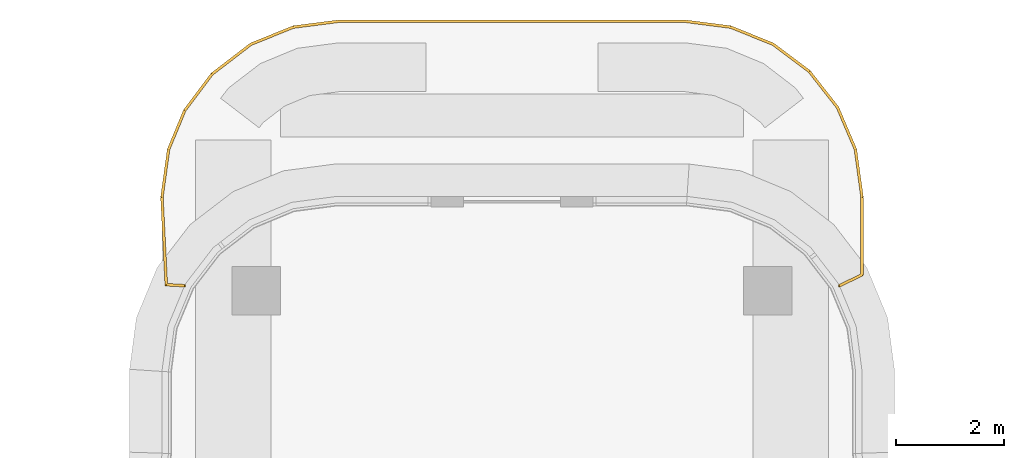
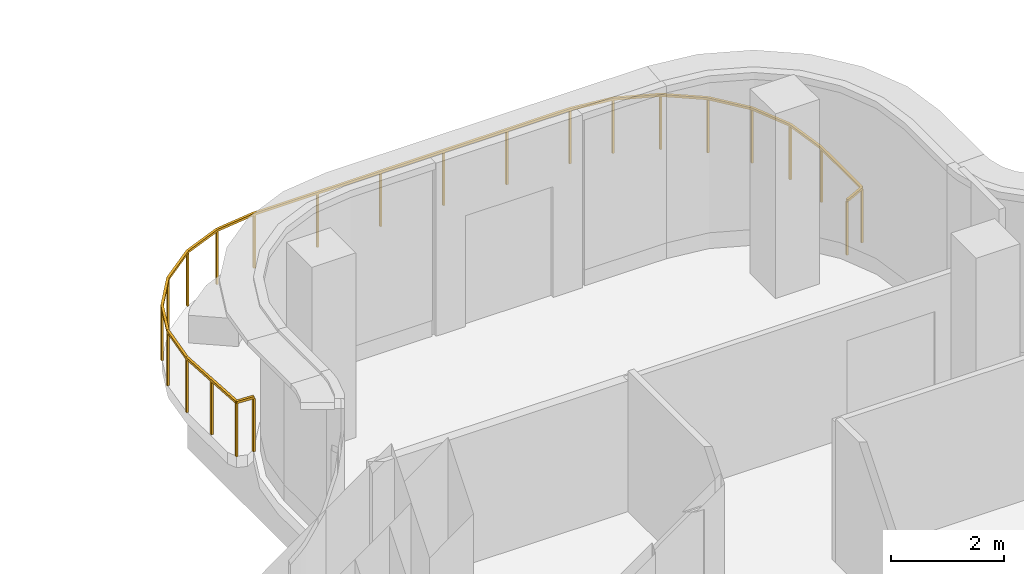
# One storey, part 11 of 11: 1 railing.
"""IFC4 building model written with IfcOpenShell, lengths in metres."""

from ifc_helpers import new_model, si_unit, direction, frame, origin, origin_2d, place, context, subcontext, project, spatial, rectangle, extrude, material, type_object, element, save


model = new_model("IFC4")

# Units and contexts
model_context = context("Model", 3, precision=1e-05, world=origin(), true_north=direction((0.0, 1.0)))
body_context = subcontext(model_context, "Body", "Model", "MODEL_VIEW")
ifc_project = project(units=[si_unit("LENGTHUNIT", "METRE"), si_unit("AREAUNIT", "SQUARE_METRE"), si_unit("VOLUMEUNIT", "CUBIC_METRE"), si_unit("PLANEANGLEUNIT", "RADIAN"), si_unit("MASSUNIT", "GRAM", prefix="KILO")], contexts=[model_context])

# Site, building, storey
site_placement = place(None, origin())
site = spatial("IfcSite", under=ifc_project, at=site_placement, CompositionType="ELEMENT")
building_placement = place(site_placement, origin())
building = spatial("IfcBuilding", under=site, at=building_placement, Name="Trellis Farm Tower", CompositionType="ELEMENT")
storey_placement = place(building_placement, frame((0.0, 0.0, 346.10009765625)))
storey = spatial("IfcBuildingStorey", under=building, at=storey_placement, Name="L78", CompositionType="ELEMENT", Elevation=346.10009765625)

# Railing
ifc_material = material(Name="Stainless steel 316", Category="steel")
railing_type = type_object("IfcRailingType", Name="BALUSTRADE GUARD 1200", PredefinedType="GUARDRAIL", material=ifc_material)
railing_placement = place(storey_placement, frame((-6.078369140625, 11.341552734375, 0.0)))
element("IfcRailing", 1, at=railing_placement, inside=storey, type_object=railing_type, Name="GD2 TER-1", PredefinedType="GUARDRAIL", context=body_context, shape_type="SweptSolid", body=[
    extrude(rectangle(XDim=0.050048828125, YDim=0.050048828125, at=origin_2d()), frame((0.0, 0.0, 1.1748046875), z_axis=(-0.998595991784, 0.052972117127, 0.0), x_axis=(-0.052972117127, -0.998595991784, 0.0)), (0.0, 0.0, 1.0), 0.341064453125),
    extrude(rectangle(XDim=0.050048828125, YDim=0.050048828125, at=origin_2d()), frame((-0.340576171875, 0.01806640625, 1.1748046875), z_axis=(-0.049847755092, 0.998756827918, 0.0), x_axis=(-0.998756827918, -0.049847755092, 0.0)), (0.0, 0.0, 1.0), 1.6259765625),
    extrude(rectangle(XDim=0.050048828125, YDim=0.050048828125, at=origin_2d()), frame((-0.421630859375, 1.64208984375, 1.1748046875), z_axis=(0.137531262137, 0.990497426516, 0.0), x_axis=(-0.990497426516, 0.137531262137, 0.0)), (0.0, 0.0, 1.0), 0.896484375),
    extrude(rectangle(XDim=0.050048828125, YDim=0.050048828125, at=origin_2d()), frame((-0.29833984375, 2.530029296875, 1.1748046875), z_axis=(0.38282021408, 0.923822863807, 0.0), x_axis=(-0.923822863807, 0.38282021408, 0.0)), (0.0, 0.0, 1.0), 0.782470703125),
    extrude(rectangle(XDim=0.050048828125, YDim=0.050048828125, at=origin_2d()), frame((0.001220703125, 3.2529296875, 1.1748046875), z_axis=(0.600691219023, 0.799481118844, 0.0), x_axis=(-0.799481118844, 0.600691219023, 0.0)), (0.0, 0.0, 1.0), 0.847412109375),
    extrude(rectangle(XDim=0.050048828125, YDim=0.050048828125, at=origin_2d()), frame((0.51025390625, 3.930419921875, 1.1748046875), z_axis=(0.793399515431, 0.608701247669, 0.0), x_axis=(-0.608701247669, 0.793399515431, 0.0)), (0.0, 0.0, 1.0), 0.912109375),
    extrude(rectangle(XDim=0.050048828125, YDim=0.050048828125, at=origin_2d()), frame((1.23388671875, 4.485595703125, 1.1748046875), z_axis=(0.927639628134, 0.373476532483, 0.0), x_axis=(-0.373476532483, 0.927639628134, 0.0)), (0.0, 0.0, 1.0), 0.84716796875),
    extrude(rectangle(XDim=0.050048828125, YDim=0.050048828125, at=origin_2d()), frame((2.019775390625, 4.802001953125, 1.1748046875), z_axis=(0.991777866634, 0.12797133763, 0.0), x_axis=(-0.12797133763, 0.991777866634, 0.0)), (0.0, 0.0, 1.0), 0.831787109375),
    extrude(rectangle(XDim=0.050048828125, YDim=0.050048828125, at=origin_2d()), frame((2.8447265625, 4.908447265625, 1.1748046875), z_axis=(1.0, 0.0, 0.0), x_axis=(0.0, 1.0, 0.0)), (0.0, 0.0, 1.0), 6.46728515625),
    extrude(rectangle(XDim=0.050048828125, YDim=0.050048828125, at=origin_2d()), frame((9.31201171875, 4.908447265625, 1.1748046875), z_axis=(0.991777866634, -0.12797133763, 0.0), x_axis=(0.12797133763, 0.991777866634, 0.0)), (0.0, 0.0, 1.0), 0.831787109375),
    extrude(rectangle(XDim=0.050048828125, YDim=0.050048828125, at=origin_2d()), frame((10.136962890625, 4.802001953125, 1.1748046875), z_axis=(0.927639628134, -0.373476532483, 0.0), x_axis=(0.373476532483, 0.927639628134, 0.0)), (0.0, 0.0, 1.0), 0.84716796875),
    extrude(rectangle(XDim=0.050048828125, YDim=0.050048828125, at=origin_2d()), frame((10.9228515625, 4.485595703125, 1.1748046875), z_axis=(0.799481118844, -0.600691219023, 0.0), x_axis=(0.600691219023, 0.799481118844, 0.0)), (0.0, 0.0, 1.0), 0.847412109375),
    extrude(rectangle(XDim=0.050048828125, YDim=0.050048828125, at=origin_2d()), frame((11.600341796875, 3.9765625, 1.1748046875), z_axis=(0.616650070044, -0.78723737914, 0.0), x_axis=(0.78723737914, 0.616650070044, 0.0)), (0.0, 0.0, 1.0), 0.84716796875),
    extrude(rectangle(XDim=0.050048828125, YDim=0.050048828125, at=origin_2d()), frame((12.122802734375, 3.3095703125, 1.1748046875), z_axis=(0.392110431343, -0.919918153768, 0.0), x_axis=(0.919918153768, 0.392110431343, 0.0)), (0.0, 0.0, 1.0), 0.847412109375),
    extrude(rectangle(XDim=0.050048828125, YDim=0.050048828125, at=origin_2d()), frame((12.455078125, 2.530029296875, 1.1748046875), z_axis=(0.137531262137, -0.990497426516, 0.0), x_axis=(0.990497426516, 0.137531262137, 0.0)), (0.0, 0.0, 1.0), 0.896484375),
    extrude(rectangle(XDim=0.050048828125, YDim=0.050048828125, at=origin_2d()), frame((12.578369140625, 1.64208984375, 1.1748046875), z_axis=(0.0, -1.0, 0.0), x_axis=(1.0, 0.0, 0.0)), (0.0, 0.0, 1.0), 1.439697265625),
    extrude(rectangle(XDim=0.050048828125, YDim=0.050048828125, at=origin_2d()), frame((12.578369140625, 0.202392578125, 1.1748046875), z_axis=(-0.901514911476, -0.432748037993, 0.0), x_axis=(0.432748037993, -0.901514911476, 0.0)), (0.0, 0.0, 1.0), 0.4677734375),
    extrude(rectangle(XDim=0.0400390625, YDim=0.0400390625, at=origin_2d()), origin(), (0.0, 0.0, 1.0), 1.14990234375),
    extrude(rectangle(XDim=0.0400390625, YDim=0.0400390625, at=origin_2d()), frame((-0.340576171875, 0.01806640625, 0.0)), (0.0, 0.0, 1.0), 1.14990234375),
    extrude(rectangle(XDim=0.0400390625, YDim=0.0400390625, at=origin_2d()), frame((-0.381103515625, 0.830078125, 0.0)), (0.0, 0.0, 1.0), 1.14990234375),
    extrude(rectangle(XDim=0.0400390625, YDim=0.0400390625, at=origin_2d()), frame((-0.421630859375, 1.64208984375, 0.0)), (0.0, 0.0, 1.0), 1.14990234375),
    extrude(rectangle(XDim=0.0400390625, YDim=0.0400390625, at=origin_2d()), frame((-0.29833984375, 2.530029296875, 0.0)), (0.0, 0.0, 1.0), 1.14990234375),
    extrude(rectangle(XDim=0.0400390625, YDim=0.0400390625, at=origin_2d()), frame((0.001220703125, 3.2529296875, 0.0)), (0.0, 0.0, 1.0), 1.14990234375),
    extrude(rectangle(XDim=0.0400390625, YDim=0.0400390625, at=origin_2d()), frame((0.51025390625, 3.930419921875, 0.0)), (0.0, 0.0, 1.0), 1.14990234375),
    extrude(rectangle(XDim=0.0400390625, YDim=0.0400390625, at=origin_2d()), frame((1.23388671875, 4.485595703125, 0.0)), (0.0, 0.0, 1.0), 1.14990234375),
    extrude(rectangle(XDim=0.0400390625, YDim=0.0400390625, at=origin_2d()), frame((2.019775390625, 4.802001953125, 0.0)), (0.0, 0.0, 1.0), 1.14990234375),
    extrude(rectangle(XDim=0.0400390625, YDim=0.0400390625, at=origin_2d()), frame((2.8447265625, 4.908447265625, 0.0)), (0.0, 0.0, 1.0), 1.14990234375),
    extrude(rectangle(XDim=0.0400390625, YDim=0.0400390625, at=origin_2d()), frame((4.13818359375, 4.908447265625, 0.0)), (0.0, 0.0, 1.0), 1.14990234375),
    extrude(rectangle(XDim=0.0400390625, YDim=0.0400390625, at=origin_2d()), frame((5.431640625, 4.908447265625, 0.0)), (0.0, 0.0, 1.0), 1.14990234375),
    extrude(rectangle(XDim=0.0400390625, YDim=0.0400390625, at=origin_2d()), frame((6.72509765625, 4.908447265625, 0.0)), (0.0, 0.0, 1.0), 1.14990234375),
    extrude(rectangle(XDim=0.0400390625, YDim=0.0400390625, at=origin_2d()), frame((8.0185546875, 4.908447265625, 0.0)), (0.0, 0.0, 1.0), 1.14990234375),
    extrude(rectangle(XDim=0.0400390625, YDim=0.0400390625, at=origin_2d()), frame((9.31201171875, 4.908447265625, 0.0)), (0.0, 0.0, 1.0), 1.14990234375),
    extrude(rectangle(XDim=0.0400390625, YDim=0.0400390625, at=origin_2d()), frame((10.136962890625, 4.802001953125, 0.0)), (0.0, 0.0, 1.0), 1.14990234375),
    extrude(rectangle(XDim=0.0400390625, YDim=0.0400390625, at=origin_2d()), frame((10.9228515625, 4.485595703125, 0.0)), (0.0, 0.0, 1.0), 1.14990234375),
    extrude(rectangle(XDim=0.0400390625, YDim=0.0400390625, at=origin_2d()), frame((11.600341796875, 3.9765625, 0.0)), (0.0, 0.0, 1.0), 1.14990234375),
    extrude(rectangle(XDim=0.0400390625, YDim=0.0400390625, at=origin_2d()), frame((12.122802734375, 3.3095703125, 0.0)), (0.0, 0.0, 1.0), 1.14990234375),
    extrude(rectangle(XDim=0.0400390625, YDim=0.0400390625, at=origin_2d()), frame((12.455078125, 2.530029296875, 0.0)), (0.0, 0.0, 1.0), 1.14990234375),
    extrude(rectangle(XDim=0.0400390625, YDim=0.0400390625, at=origin_2d()), frame((12.578369140625, 1.64208984375, 0.0)), (0.0, 0.0, 1.0), 1.14990234375),
    extrude(rectangle(XDim=0.0400390625, YDim=0.0400390625, at=origin_2d()), frame((12.578369140625, 0.202392578125, 0.0)), (0.0, 0.0, 1.0), 1.14990234375),
    extrude(rectangle(XDim=0.0400390625, YDim=0.0400390625, at=origin_2d()), frame((12.15673828125, 0.0, 0.0)), (0.0, 0.0, 1.0), 1.14990234375),
])

save(model, "model.ifc")
